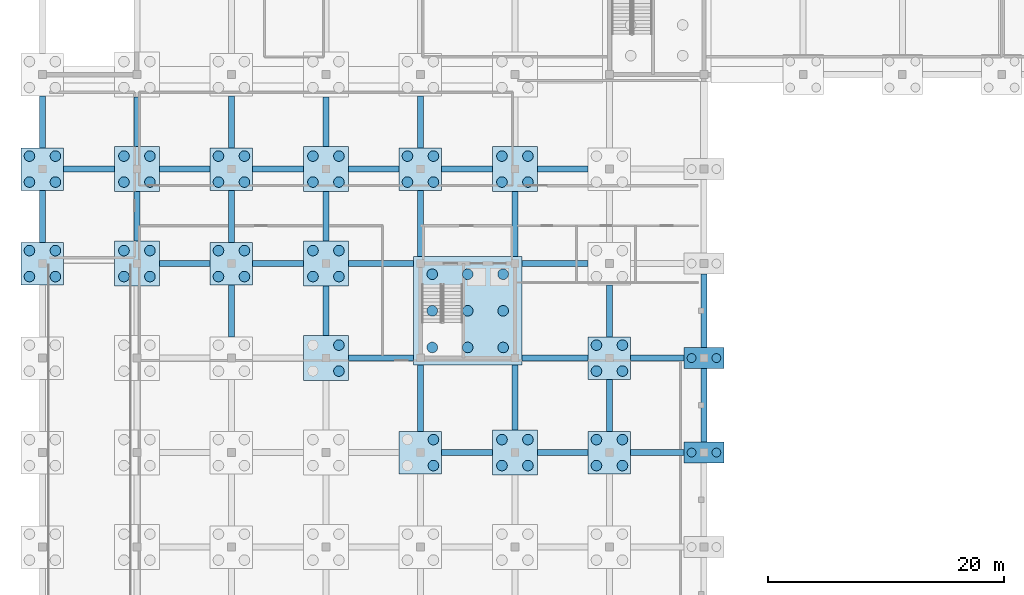
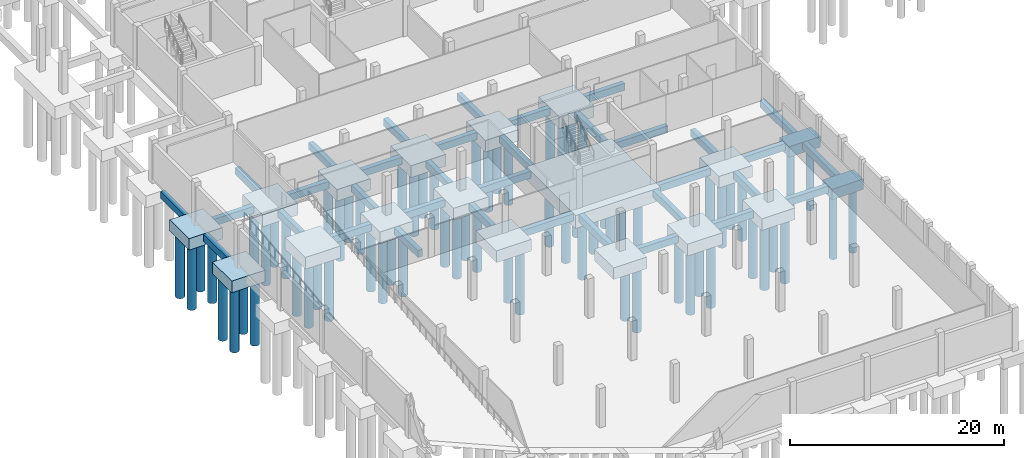
# One storey, part 3 of 22: 69 piles, 53 footings.
"""IFC4 building model written with IfcOpenShell, lengths in metres."""

from ifc_helpers import new_model, si_unit, direction, frame, origin, origin_2d, place, context, subcontext, project, spatial, polyline, rectangle, circle, outline, extrude, material, material_profile, profile_set, type_object, element, save


model = new_model("IFC4")

# Units and contexts
model_context = context("Model", 3, precision=1e-05, world=origin(), true_north=direction((0.0, 1.0)))
body_context = subcontext(model_context, "Body", "Model", "MODEL_VIEW")
ifc_project = project(units=[si_unit("LENGTHUNIT", "METRE"), si_unit("AREAUNIT", "SQUARE_METRE"), si_unit("VOLUMEUNIT", "CUBIC_METRE"), si_unit("PLANEANGLEUNIT", "RADIAN"), si_unit("MASSUNIT", "GRAM", prefix="KILO")], contexts=[model_context])

# Site, building, storey
site_placement = place(None, origin())
site = spatial("IfcSite", under=ifc_project, at=site_placement, CompositionType="ELEMENT")
building_placement = place(site_placement, origin())
building = spatial("IfcBuilding", under=site, at=building_placement, Name="Vharandega Faculty of Natural Sciences", CompositionType="ELEMENT")
storey_placement = place(building_placement, frame((0.0, 0.0, -4.5)))
storey = spatial("IfcBuildingStorey", under=building, at=storey_placement, Name="B01", CompositionType="ELEMENT", Elevation=-4.5)

# Piles
ifc_material_1 = material(Name="Concrete C35/45", Category="concrete")
ifc_material_profile_1 = material_profile(ifc_material_1, circle(Radius=0.375, at=origin_2d()), Name="PILE 750")
ifc_profile_set_1 = profile_set([ifc_material_profile_1], Name="Concrete C35/45")
pile_type_1 = type_object("IfcPileType", Name="Bored Pile 750", PredefinedType="BORED", material=ifc_profile_set_1)
for number, where, z_axis, x_axis, name in (
    (1, (54.949951171875, 32.0, -1.550048828125), (0.0, 0.0, -1.0), (1.0, 0.0, 0.0), "Bored Pile PL-8E-01"),
    (2, (57.050048828125, 32.0, -1.550048828125), (0.0, 0.0, -1.0), (1.0, 0.0, 0.0), "Bored Pile PL-8E-02"),
    (3, (54.949951171875, 40.0, -1.550048828125), (0.0, 0.0, -1.0), (1.0, 0.0, 0.0), "Bored Pile PL-8F-01"),
    (4, (57.050048828125, 40.0, -1.550048828125), (0.0, 0.0, -1.0), (1.0, 0.0, 0.0), "Bored Pile PL-8F-02"),
):
    element("IfcPile", number, at=place(storey_placement, frame(where, z_axis=z_axis, x_axis=x_axis)), inside=storey, type_object=pile_type_1, Name=name, PredefinedType="BORED", context=body_context, shape_type="SweptSolid", body=[
        extrude(circle(Radius=0.375, at=origin_2d()), origin(), (0.0, 0.0, 1.0), 7.449951171875),
    ])
ifc_material_2 = material(Name="Concrete C35/45", Category="concrete")
ifc_material_profile_2 = material_profile(ifc_material_2, circle(Radius=0.449951171875, at=origin_2d()), Name="PILE 900")
ifc_profile_set_2 = profile_set([ifc_material_profile_2], Name="Concrete C35/45")
pile_type_2 = type_object("IfcPileType", Name="Bored Pile 900", PredefinedType="BORED", material=ifc_profile_set_2)
for number, where, z_axis, x_axis, name in (
    (5, (33.0, 40.89990234375, -1.85009765625), (0.0, 0.0, -1.0), (1.0, 0.0, 0.0), "Bored Pile PL-C3-01"),
    (6, (33.0, 44.0, -1.85009765625), (0.0, 0.0, -1.0), (1.0, 0.0, 0.0), "Bored Pile PL-C3-02"),
    (7, (33.0, 47.10009765625, -1.85009765625), (0.0, 0.0, -1.0), (1.0, 0.0, 0.0), "Bored Pile PL-C3-03"),
    (8, (36.0, 40.89990234375, -1.85009765625), (0.0, 0.0, -1.0), (1.0, 0.0, 0.0), "Bored Pile PL-C3-04"),
    (9, (36.0, 44.0, -1.85009765625), (0.0, 0.0, -1.0), (1.0, 0.0, 0.0), "Bored Pile PL-C3-05"),
    (10, (36.0, 47.10009765625, -1.85009765625), (0.0, 0.0, -1.0), (1.0, 0.0, 0.0), "Bored Pile PL-C3-06"),
    (11, (39.0, 40.89990234375, -1.85009765625), (0.0, 0.0, -1.0), (1.0, 0.0, 0.0), "Bored Pile PL-C3-07"),
    (12, (39.0, 44.0, -1.85009765625), (0.0, 0.0, -1.0), (1.0, 0.0, 0.0), "Bored Pile PL-C3-08"),
    (13, (39.0, 47.10009765625, -1.85009765625), (0.0, 0.0, -1.0), (1.0, 0.0, 0.0), "Bored Pile PL-C3-09"),
):
    element("IfcPile", number, at=place(storey_placement, frame(where, z_axis=z_axis, x_axis=x_axis)), inside=storey, type_object=pile_type_2, Name=name, PredefinedType="BORED", context=body_context, shape_type="SweptSolid", body=[
        extrude(circle(Radius=0.449951171875, at=origin_2d()), origin(), (0.0, 0.0, 1.0), 7.14990234375),
    ])
for number, where, z_axis, x_axis, name in (
    (14, (-1.10009765625, 46.89990234375, -1.669921875), (0.0, 0.0, -1.0), (1.0, 0.0, 0.0), "Bored Pile PL-1G-01"),
    (15, (1.10009765625, 46.89990234375, -1.669921875), (0.0, 0.0, -1.0), (1.0, 0.0, 0.0), "Bored Pile PL-1G-02"),
    (16, (1.10009765625, 49.10009765625, -1.669921875), (0.0, 0.0, -1.0), (1.0, 0.0, 0.0), "Bored Pile PL-1G-03"),
    (17, (-1.10009765625, 49.10009765625, -1.669921875), (0.0, 0.0, -1.0), (1.0, 0.0, 0.0), "Bored Pile PL-1G-04"),
    (18, (-1.10009765625, 54.89990234375, -1.669921875), (0.0, 0.0, -1.0), (1.0, 0.0, 0.0), "Bored Pile PL-1H-01"),
    (19, (1.10009765625, 54.89990234375, -1.669921875), (0.0, 0.0, -1.0), (1.0, 0.0, 0.0), "Bored Pile PL-1H-02"),
    (20, (1.10009765625, 57.10009765625, -1.669921875), (0.0, 0.0, -1.0), (1.0, 0.0, 0.0), "Bored Pile PL-1H-03"),
    (21, (-1.10009765625, 57.10009765625, -1.669921875), (0.0, 0.0, -1.0), (1.0, 0.0, 0.0), "Bored Pile PL-1H-04"),
):
    element("IfcPile", number, at=place(storey_placement, frame(where, z_axis=z_axis, x_axis=x_axis)), inside=storey, type_object=pile_type_2, Name=name, PredefinedType="BORED", context=body_context, shape_type="SweptSolid", body=[
        extrude(circle(Radius=0.449951171875, at=origin_2d()), origin(), (0.0, 0.0, 1.0), 7.330078125),
    ])
for number, where, z_axis, x_axis, name in (
    (22, (6.89990234375, 46.89990234375, -1.699951171875), (0.0, 0.0, -1.0), (1.0, 0.0, 0.0), "Bored Pile PL-2G-01"),
    (23, (9.10009765625, 46.89990234375, -1.699951171875), (0.0, 0.0, -1.0), (1.0, 0.0, 0.0), "Bored Pile PL-2G-02"),
    (24, (9.10009765625, 49.10009765625, -1.699951171875), (0.0, 0.0, -1.0), (1.0, 0.0, 0.0), "Bored Pile PL-2G-03"),
    (25, (6.89990234375, 49.10009765625, -1.699951171875), (0.0, 0.0, -1.0), (1.0, 0.0, 0.0), "Bored Pile PL-2G-04"),
    (26, (6.89990234375, 54.89990234375, -1.699951171875), (0.0, 0.0, -1.0), (1.0, 0.0, 0.0), "Bored Pile PL-2H-01"),
    (27, (9.10009765625, 54.89990234375, -1.699951171875), (0.0, 0.0, -1.0), (1.0, 0.0, 0.0), "Bored Pile PL-2H-02"),
    (28, (9.10009765625, 57.10009765625, -1.699951171875), (0.0, 0.0, -1.0), (1.0, 0.0, 0.0), "Bored Pile PL-2H-03"),
    (29, (6.89990234375, 57.10009765625, -1.699951171875), (0.0, 0.0, -1.0), (1.0, 0.0, 0.0), "Bored Pile PL-2H-04"),
):
    element("IfcPile", number, at=place(storey_placement, frame(where, z_axis=z_axis, x_axis=x_axis)), inside=storey, type_object=pile_type_2, Name=name, PredefinedType="BORED", context=body_context, shape_type="SweptSolid", body=[
        extrude(circle(Radius=0.449951171875, at=origin_2d()), origin(), (0.0, 0.0, 1.0), 7.300048828125),
    ])
for number, where, z_axis, x_axis, name in (
    (30, (14.89990234375, 46.89990234375, -1.669921875), (0.0, 0.0, -1.0), (1.0, 0.0, 0.0), "Bored Pile PL-3G-01"),
    (31, (17.10009765625, 46.89990234375, -1.669921875), (0.0, 0.0, -1.0), (1.0, 0.0, 0.0), "Bored Pile PL-3G-02"),
    (32, (17.10009765625, 49.10009765625, -1.669921875), (0.0, 0.0, -1.0), (1.0, 0.0, 0.0), "Bored Pile PL-3G-03"),
    (33, (14.89990234375, 49.10009765625, -1.669921875), (0.0, 0.0, -1.0), (1.0, 0.0, 0.0), "Bored Pile PL-3G-04"),
    (34, (14.89990234375, 54.89990234375, -1.669921875), (0.0, 0.0, -1.0), (1.0, 0.0, 0.0), "Bored Pile PL-3H-01"),
    (35, (17.10009765625, 54.89990234375, -1.669921875), (0.0, 0.0, -1.0), (1.0, 0.0, 0.0), "Bored Pile PL-3H-02"),
    (36, (17.10009765625, 57.10009765625, -1.669921875), (0.0, 0.0, -1.0), (1.0, 0.0, 0.0), "Bored Pile PL-3H-03"),
    (37, (14.89990234375, 57.10009765625, -1.669921875), (0.0, 0.0, -1.0), (1.0, 0.0, 0.0), "Bored Pile PL-3H-04"),
):
    element("IfcPile", number, at=place(storey_placement, frame(where, z_axis=z_axis, x_axis=x_axis)), inside=storey, type_object=pile_type_2, Name=name, PredefinedType="BORED", context=body_context, shape_type="SweptSolid", body=[
        extrude(circle(Radius=0.449951171875, at=origin_2d()), origin(), (0.0, 0.0, 1.0), 7.330078125),
    ])
for number, where, z_axis, x_axis, name in (
    (38, (25.10009765625, 38.89990234375, -1.699951171875), (0.0, 0.0, -1.0), (1.0, 0.0, 0.0), "Bored Pile PL-4F-02"),
    (39, (25.10009765625, 41.10009765625, -1.699951171875), (0.0, 0.0, -1.0), (1.0, 0.0, 0.0), "Bored Pile PL-4F-03"),
    (40, (22.89990234375, 46.89990234375, -1.699951171875), (0.0, 0.0, -1.0), (1.0, 0.0, 0.0), "Bored Pile PL-4G-01"),
    (41, (25.10009765625, 46.89990234375, -1.699951171875), (0.0, 0.0, -1.0), (1.0, 0.0, 0.0), "Bored Pile PL-4G-02"),
    (42, (25.10009765625, 49.10009765625, -1.699951171875), (0.0, 0.0, -1.0), (1.0, 0.0, 0.0), "Bored Pile PL-4G-03"),
    (43, (22.89990234375, 49.10009765625, -1.699951171875), (0.0, 0.0, -1.0), (1.0, 0.0, 0.0), "Bored Pile PL-4G-04"),
    (44, (22.89990234375, 54.89990234375, -1.699951171875), (0.0, 0.0, -1.0), (1.0, 0.0, 0.0), "Bored Pile PL-4H-01"),
    (45, (25.10009765625, 54.89990234375, -1.699951171875), (0.0, 0.0, -1.0), (1.0, 0.0, 0.0), "Bored Pile PL-4H-02"),
    (46, (25.10009765625, 57.10009765625, -1.699951171875), (0.0, 0.0, -1.0), (1.0, 0.0, 0.0), "Bored Pile PL-4H-03"),
    (47, (22.89990234375, 57.10009765625, -1.699951171875), (0.0, 0.0, -1.0), (1.0, 0.0, 0.0), "Bored Pile PL-4H-04"),
):
    element("IfcPile", number, at=place(storey_placement, frame(where, z_axis=z_axis, x_axis=x_axis)), inside=storey, type_object=pile_type_2, Name=name, PredefinedType="BORED", context=body_context, shape_type="SweptSolid", body=[
        extrude(circle(Radius=0.449951171875, at=origin_2d()), origin(), (0.0, 0.0, 1.0), 7.300048828125),
    ])
for number, where, z_axis, x_axis, name in (
    (48, (33.10009765625, 30.89990234375, -1.669921875), (0.0, 0.0, -1.0), (1.0, 0.0, 0.0), "Bored Pile PL-5E-02"),
    (49, (33.10009765625, 33.10009765625, -1.669921875), (0.0, 0.0, -1.0), (1.0, 0.0, 0.0), "Bored Pile PL-5E-03"),
    (50, (30.89990234375, 54.89990234375, -1.669921875), (0.0, 0.0, -1.0), (1.0, 0.0, 0.0), "Bored Pile PL-5H-01"),
    (51, (33.10009765625, 54.89990234375, -1.669921875), (0.0, 0.0, -1.0), (1.0, 0.0, 0.0), "Bored Pile PL-5H-02"),
    (52, (33.10009765625, 57.10009765625, -1.669921875), (0.0, 0.0, -1.0), (1.0, 0.0, 0.0), "Bored Pile PL-5H-03"),
    (53, (30.89990234375, 57.10009765625, -1.669921875), (0.0, 0.0, -1.0), (1.0, 0.0, 0.0), "Bored Pile PL-5H-04"),
):
    element("IfcPile", number, at=place(storey_placement, frame(where, z_axis=z_axis, x_axis=x_axis)), inside=storey, type_object=pile_type_2, Name=name, PredefinedType="BORED", context=body_context, shape_type="SweptSolid", body=[
        extrude(circle(Radius=0.449951171875, at=origin_2d()), origin(), (0.0, 0.0, 1.0), 7.330078125),
    ])
for number, where, z_axis, x_axis, name in (
    (54, (38.89990234375, 30.89990234375, -1.699951171875), (0.0, 0.0, -1.0), (1.0, 0.0, 0.0), "Bored Pile PL-6E-01"),
    (55, (41.10009765625, 30.89990234375, -1.699951171875), (0.0, 0.0, -1.0), (1.0, 0.0, 0.0), "Bored Pile PL-6E-02"),
    (56, (41.10009765625, 33.10009765625, -1.699951171875), (0.0, 0.0, -1.0), (1.0, 0.0, 0.0), "Bored Pile PL-6E-03"),
    (57, (38.89990234375, 33.10009765625, -1.699951171875), (0.0, 0.0, -1.0), (1.0, 0.0, 0.0), "Bored Pile PL-6E-04"),
    (58, (38.89990234375, 54.89990234375, -1.699951171875), (0.0, 0.0, -1.0), (1.0, 0.0, 0.0), "Bored Pile PL-6H-01"),
    (59, (41.10009765625, 54.89990234375, -1.699951171875), (0.0, 0.0, -1.0), (1.0, 0.0, 0.0), "Bored Pile PL-6H-02"),
    (60, (41.10009765625, 57.10009765625, -1.699951171875), (0.0, 0.0, -1.0), (1.0, 0.0, 0.0), "Bored Pile PL-6H-03"),
    (61, (38.89990234375, 57.10009765625, -1.699951171875), (0.0, 0.0, -1.0), (1.0, 0.0, 0.0), "Bored Pile PL-6H-04"),
):
    element("IfcPile", number, at=place(storey_placement, frame(where, z_axis=z_axis, x_axis=x_axis)), inside=storey, type_object=pile_type_2, Name=name, PredefinedType="BORED", context=body_context, shape_type="SweptSolid", body=[
        extrude(circle(Radius=0.449951171875, at=origin_2d()), origin(), (0.0, 0.0, 1.0), 7.300048828125),
    ])
for number, where, z_axis, x_axis, name in (
    (62, (46.89990234375, 30.89990234375, -1.669921875), (0.0, 0.0, -1.0), (1.0, 0.0, 0.0), "Bored Pile PL-7E-01"),
    (63, (49.10009765625, 30.89990234375, -1.669921875), (0.0, 0.0, -1.0), (1.0, 0.0, 0.0), "Bored Pile PL-7E-02"),
    (64, (49.10009765625, 33.10009765625, -1.669921875), (0.0, 0.0, -1.0), (1.0, 0.0, 0.0), "Bored Pile PL-7E-03"),
    (65, (46.89990234375, 33.10009765625, -1.669921875), (0.0, 0.0, -1.0), (1.0, 0.0, 0.0), "Bored Pile PL-7E-04"),
    (66, (46.89990234375, 38.89990234375, -1.669921875), (0.0, 0.0, -1.0), (1.0, 0.0, 0.0), "Bored Pile PL-7F-01"),
    (67, (49.10009765625, 38.89990234375, -1.669921875), (0.0, 0.0, -1.0), (1.0, 0.0, 0.0), "Bored Pile PL-7F-02"),
    (68, (49.10009765625, 41.10009765625, -1.669921875), (0.0, 0.0, -1.0), (1.0, 0.0, 0.0), "Bored Pile PL-7F-03"),
    (69, (46.89990234375, 41.10009765625, -1.669921875), (0.0, 0.0, -1.0), (1.0, 0.0, 0.0), "Bored Pile PL-7F-04"),
):
    element("IfcPile", number, at=place(storey_placement, frame(where, z_axis=z_axis, x_axis=x_axis)), inside=storey, type_object=pile_type_2, Name=name, PredefinedType="BORED", context=body_context, shape_type="SweptSolid", body=[
        extrude(circle(Radius=0.449951171875, at=origin_2d()), origin(), (0.0, 0.0, 1.0), 7.330078125),
    ])

# Footings
ifc_material_3 = material(Name="Concrete C35/45", Category="concrete")
footing_type_1 = type_object("IfcFootingType", Name="Ground Tie Beam 500x800", PredefinedType="FOOTING_BEAM", material=ifc_material_3)
footing_1_placement = place(storey_placement, frame((0.0, 0.0, -1.25)))
element("IfcFooting", 70, at=footing_1_placement, inside=storey, type_object=footing_type_1, Name="Substructure Tie FND-GB-X022", PredefinedType="FOOTING_BEAM", context=body_context, shape_type="SweptSolid", body=[
    extrude(outline(polyline([(33.800048828125, 31.75), (38.10009765625, 31.75), (38.10009765625, 32.25), (33.800048828125, 32.25), (33.800048828125, 31.75)])), origin(), (0.0, 0.0, 1.0), 0.800048828125),
])
footing_2_placement = place(storey_placement, frame((0.0, 0.0, -1.25)))
element("IfcFooting", 71, at=footing_2_placement, inside=storey, type_object=footing_type_1, Name="Substructure Tie FND-GB-X023", PredefinedType="FOOTING_BEAM", context=body_context, shape_type="SweptSolid", body=[
    extrude(outline(polyline([(41.89990234375, 31.75), (46.199951171875, 31.75), (46.199951171875, 32.25), (41.89990234375, 32.25), (41.89990234375, 31.75)])), origin(), (0.0, 0.0, 1.0), 0.800048828125),
])
footing_3_placement = place(storey_placement, frame((0.0, 0.0, -1.25)))
element("IfcFooting", 72, at=footing_3_placement, inside=storey, type_object=footing_type_1, Name="Substructure Tie FND-GB-X024", PredefinedType="FOOTING_BEAM", context=body_context, shape_type="SweptSolid", body=[
    extrude(outline(polyline([(49.800048828125, 31.75), (54.300048828125, 31.75), (54.300048828125, 32.25), (49.800048828125, 32.25), (49.800048828125, 31.75)])), origin(), (0.0, 0.0, 1.0), 0.800048828125),
])
footing_4_placement = place(storey_placement, frame((0.0, 0.0, -1.25)))
element("IfcFooting", 73, at=footing_4_placement, inside=storey, type_object=footing_type_1, Name="Substructure Tie FND-GB-X027", PredefinedType="FOOTING_BEAM", context=body_context, shape_type="SweptSolid", body=[
    extrude(outline(polyline([(25.89990234375, 39.75), (31.39990234375, 39.75), (31.39990234375, 40.25), (25.89990234375, 40.25), (25.89990234375, 39.75)])), origin(), (0.0, 0.0, 1.0), 0.800048828125),
])
footing_5_placement = place(storey_placement, frame((0.0, 0.0, -1.25)))
element("IfcFooting", 74, at=footing_5_placement, inside=storey, type_object=footing_type_1, Name="Substructure Tie FND-GB-X028", PredefinedType="FOOTING_BEAM", context=body_context, shape_type="SweptSolid", body=[
    extrude(outline(polyline([(40.60009765625, 39.75), (46.199951171875, 39.75), (46.199951171875, 40.25), (40.60009765625, 40.25), (40.60009765625, 39.75)])), origin(), (0.0, 0.0, 1.0), 0.800048828125),
])
footing_6_placement = place(storey_placement, frame((0.0, 0.0, -1.25)))
element("IfcFooting", 75, at=footing_6_placement, inside=storey, type_object=footing_type_1, Name="Substructure Tie FND-GB-X029", PredefinedType="FOOTING_BEAM", context=body_context, shape_type="SweptSolid", body=[
    extrude(outline(polyline([(49.800048828125, 39.75), (54.300048828125, 39.75), (54.300048828125, 40.25), (49.800048828125, 40.25), (49.800048828125, 39.75)])), origin(), (0.0, 0.0, 1.0), 0.800048828125),
])
footing_7_placement = place(storey_placement, frame((0.0, 0.0, -1.25)))
element("IfcFooting", 76, at=footing_7_placement, inside=storey, type_object=footing_type_1, Name="Substructure Tie FND-GB-X030", PredefinedType="FOOTING_BEAM", context=body_context, shape_type="SweptSolid", body=[
    extrude(outline(polyline([(9.89990234375, 47.75), (14.199951171875, 47.75), (14.199951171875, 48.25), (9.89990234375, 48.25), (9.89990234375, 47.75)])), origin(), (0.0, 0.0, 1.0), 0.800048828125),
])
footing_8_placement = place(storey_placement, frame((0.0, 0.0, -1.25)))
element("IfcFooting", 77, at=footing_8_placement, inside=storey, type_object=footing_type_1, Name="Substructure Tie FND-GB-X031", PredefinedType="FOOTING_BEAM", context=body_context, shape_type="SweptSolid", body=[
    extrude(outline(polyline([(17.800048828125, 47.75), (22.10009765625, 47.75), (22.10009765625, 48.25), (17.800048828125, 48.25), (17.800048828125, 47.75)])), origin(), (0.0, 0.0, 1.0), 0.800048828125),
])
footing_9_placement = place(storey_placement, frame((0.0, 0.0, -1.25)))
element("IfcFooting", 78, at=footing_9_placement, inside=storey, type_object=footing_type_1, Name="Substructure Tie FND-GB-X032", PredefinedType="FOOTING_BEAM", context=body_context, shape_type="SweptSolid", body=[
    extrude(outline(polyline([(25.89990234375, 47.75), (31.39990234375, 47.75), (31.39990234375, 48.25), (25.89990234375, 48.25), (25.89990234375, 47.75)])), origin(), (0.0, 0.0, 1.0), 0.800048828125),
])
footing_10_placement = place(storey_placement, frame((0.0, 0.0, -1.25)))
element("IfcFooting", 79, at=footing_10_placement, inside=storey, type_object=footing_type_1, Name="Substructure Tie FND-GB-X033", PredefinedType="FOOTING_BEAM", context=body_context, shape_type="SweptSolid", body=[
    extrude(outline(polyline([(40.60009765625, 47.75), (46.199951171875, 47.75), (46.199951171875, 48.25), (40.60009765625, 48.25), (40.60009765625, 47.75)])), origin(), (0.0, 0.0, 1.0), 0.800048828125),
])
footing_11_placement = place(storey_placement, frame((0.0, 0.0, -1.25)))
element("IfcFooting", 80, at=footing_11_placement, inside=storey, type_object=footing_type_1, Name="Substructure Tie FND-GB-X035", PredefinedType="FOOTING_BEAM", context=body_context, shape_type="SweptSolid", body=[
    extrude(outline(polyline([(1.800048828125, 55.75), (6.10009765625, 55.75), (6.10009765625, 56.25), (1.800048828125, 56.25), (1.800048828125, 55.75)])), origin(), (0.0, 0.0, 1.0), 0.800048828125),
])
footing_12_placement = place(storey_placement, frame((0.0, 0.0, -1.25)))
element("IfcFooting", 81, at=footing_12_placement, inside=storey, type_object=footing_type_1, Name="Substructure Tie FND-GB-X036", PredefinedType="FOOTING_BEAM", context=body_context, shape_type="SweptSolid", body=[
    extrude(outline(polyline([(9.89990234375, 55.75), (14.199951171875, 55.75), (14.199951171875, 56.25), (9.89990234375, 56.25), (9.89990234375, 55.75)])), origin(), (0.0, 0.0, 1.0), 0.800048828125),
])
footing_13_placement = place(storey_placement, frame((0.0, 0.0, -1.25)))
element("IfcFooting", 82, at=footing_13_placement, inside=storey, type_object=footing_type_1, Name="Substructure Tie FND-GB-X037", PredefinedType="FOOTING_BEAM", context=body_context, shape_type="SweptSolid", body=[
    extrude(outline(polyline([(17.800048828125, 55.75), (22.10009765625, 55.75), (22.10009765625, 56.25), (17.800048828125, 56.25), (17.800048828125, 55.75)])), origin(), (0.0, 0.0, 1.0), 0.800048828125),
])
footing_14_placement = place(storey_placement, frame((0.0, 0.0, -1.25)))
element("IfcFooting", 83, at=footing_14_placement, inside=storey, type_object=footing_type_1, Name="Substructure Tie FND-GB-X038", PredefinedType="FOOTING_BEAM", context=body_context, shape_type="SweptSolid", body=[
    extrude(outline(polyline([(25.89990234375, 55.75), (30.199951171875, 55.75), (30.199951171875, 56.25), (25.89990234375, 56.25), (25.89990234375, 55.75)])), origin(), (0.0, 0.0, 1.0), 0.800048828125),
])
footing_15_placement = place(storey_placement, frame((0.0, 0.0, -1.25)))
element("IfcFooting", 84, at=footing_15_placement, inside=storey, type_object=footing_type_1, Name="Substructure Tie FND-GB-X039", PredefinedType="FOOTING_BEAM", context=body_context, shape_type="SweptSolid", body=[
    extrude(outline(polyline([(33.800048828125, 55.75), (38.10009765625, 55.75), (38.10009765625, 56.25), (33.800048828125, 56.25), (33.800048828125, 55.75)])), origin(), (0.0, 0.0, 1.0), 0.800048828125),
])
footing_16_placement = place(storey_placement, frame((0.0, 0.0, -1.25)))
element("IfcFooting", 85, at=footing_16_placement, inside=storey, type_object=footing_type_1, Name="Substructure Tie FND-GB-X040", PredefinedType="FOOTING_BEAM", context=body_context, shape_type="SweptSolid", body=[
    extrude(outline(polyline([(41.89990234375, 55.75), (46.199951171875, 55.75), (46.199951171875, 56.25), (41.89990234375, 56.25), (41.89990234375, 55.75)])), origin(), (0.0, 0.0, 1.0), 0.800048828125),
])
footing_17_placement = place(storey_placement, frame((0.0, 0.0, -1.25)))
element("IfcFooting", 86, at=footing_17_placement, inside=storey, type_object=footing_type_1, Name="Substructure Tie FND-GB-Y132", PredefinedType="FOOTING_BEAM", context=body_context, shape_type="SweptSolid", body=[
    extrude(outline(polyline([(-0.25, 49.800048828125), (0.25, 49.800048828125), (0.25, 54.199951171875), (-0.25, 54.199951171875), (-0.25, 49.800048828125)])), origin(), (0.0, 0.0, 1.0), 0.800048828125),
])
footing_18_placement = place(storey_placement, frame((0.0, 0.0, -1.25)))
element("IfcFooting", 87, at=footing_18_placement, inside=storey, type_object=footing_type_1, Name="Substructure Tie FND-GB-Y133", PredefinedType="FOOTING_BEAM", context=body_context, shape_type="SweptSolid", body=[
    extrude(outline(polyline([(-0.25, 57.800048828125), (0.25, 57.800048828125), (0.25, 62.199951171875), (-0.25, 62.199951171875), (-0.25, 57.800048828125)])), origin(), (0.0, 0.0, 1.0), 0.800048828125),
])
footing_19_placement = place(storey_placement, frame((0.0, 0.0, -1.25)))
element("IfcFooting", 88, at=footing_19_placement, inside=storey, type_object=footing_type_1, Name="Substructure Tie FND-GB-Y144", PredefinedType="FOOTING_BEAM", context=body_context, shape_type="SweptSolid", body=[
    extrude(outline(polyline([(7.75, 49.89990234375), (8.25, 49.89990234375), (8.25, 54.10009765625), (7.75, 54.10009765625), (7.75, 49.89990234375)])), origin(), (0.0, 0.0, 1.0), 0.800048828125),
])
footing_20_placement = place(storey_placement, frame((0.0, 0.0, -1.25)))
element("IfcFooting", 89, at=footing_20_placement, inside=storey, type_object=footing_type_1, Name="Substructure Tie FND-GB-Y145", PredefinedType="FOOTING_BEAM", context=body_context, shape_type="SweptSolid", body=[
    extrude(outline(polyline([(7.75, 57.89990234375), (8.25, 57.89990234375), (8.25, 62.10009765625), (7.75, 62.10009765625), (7.75, 57.89990234375)])), origin(), (0.0, 0.0, 1.0), 0.800048828125),
])
footing_21_placement = place(storey_placement, frame((0.0, 0.0, -1.25)))
element("IfcFooting", 90, at=footing_21_placement, inside=storey, type_object=footing_type_1, Name="Substructure Tie FND-GB-Y155", PredefinedType="FOOTING_BEAM", context=body_context, shape_type="SweptSolid", body=[
    extrude(outline(polyline([(15.75, 41.800048828125), (16.25, 41.800048828125), (16.25, 46.199951171875), (15.75, 46.199951171875), (15.75, 41.800048828125)])), origin(), (0.0, 0.0, 1.0), 0.800048828125),
])
footing_22_placement = place(storey_placement, frame((0.0, 0.0, -1.25)))
element("IfcFooting", 91, at=footing_22_placement, inside=storey, type_object=footing_type_1, Name="Substructure Tie FND-GB-Y156", PredefinedType="FOOTING_BEAM", context=body_context, shape_type="SweptSolid", body=[
    extrude(outline(polyline([(15.75, 49.800048828125), (16.25, 49.800048828125), (16.25, 54.199951171875), (15.75, 54.199951171875), (15.75, 49.800048828125)])), origin(), (0.0, 0.0, 1.0), 0.800048828125),
])
footing_23_placement = place(storey_placement, frame((0.0, 0.0, -1.25)))
element("IfcFooting", 92, at=footing_23_placement, inside=storey, type_object=footing_type_1, Name="Substructure Tie FND-GB-Y157", PredefinedType="FOOTING_BEAM", context=body_context, shape_type="SweptSolid", body=[
    extrude(outline(polyline([(15.75, 57.800048828125), (16.25, 57.800048828125), (16.25, 62.199951171875), (15.75, 62.199951171875), (15.75, 57.800048828125)])), origin(), (0.0, 0.0, 1.0), 0.800048828125),
])
footing_24_placement = place(storey_placement, frame((0.0, 0.0, -1.25)))
element("IfcFooting", 93, at=footing_24_placement, inside=storey, type_object=footing_type_1, Name="Substructure Tie FND-GB-Y167", PredefinedType="FOOTING_BEAM", context=body_context, shape_type="SweptSolid", body=[
    extrude(outline(polyline([(23.75, 41.89990234375), (24.25, 41.89990234375), (24.25, 46.10009765625), (23.75, 46.10009765625), (23.75, 41.89990234375)])), origin(), (0.0, 0.0, 1.0), 0.800048828125),
])
footing_25_placement = place(storey_placement, frame((0.0, 0.0, -1.25)))
element("IfcFooting", 94, at=footing_25_placement, inside=storey, type_object=footing_type_1, Name="Substructure Tie FND-GB-Y168", PredefinedType="FOOTING_BEAM", context=body_context, shape_type="SweptSolid", body=[
    extrude(outline(polyline([(23.75, 49.89990234375), (24.25, 49.89990234375), (24.25, 54.10009765625), (23.75, 54.10009765625), (23.75, 49.89990234375)])), origin(), (0.0, 0.0, 1.0), 0.800048828125),
])
footing_26_placement = place(storey_placement, frame((0.0, 0.0, -1.25)))
element("IfcFooting", 95, at=footing_26_placement, inside=storey, type_object=footing_type_1, Name="Substructure Tie FND-GB-Y169", PredefinedType="FOOTING_BEAM", context=body_context, shape_type="SweptSolid", body=[
    extrude(outline(polyline([(23.75, 57.89990234375), (24.25, 57.89990234375), (24.25, 62.10009765625), (23.75, 62.10009765625), (23.75, 57.89990234375)])), origin(), (0.0, 0.0, 1.0), 0.800048828125),
])
footing_27_placement = place(storey_placement, frame((0.0, 0.0, -1.25)))
element("IfcFooting", 96, at=footing_27_placement, inside=storey, type_object=footing_type_1, Name="Substructure Tie FND-GB-Y178", PredefinedType="FOOTING_BEAM", context=body_context, shape_type="SweptSolid", body=[
    extrude(outline(polyline([(31.75, 33.800048828125), (32.25, 33.800048828125), (32.25, 39.39990234375), (31.75, 39.39990234375), (31.75, 33.800048828125)])), origin(), (0.0, 0.0, 1.0), 0.800048828125),
])
footing_28_placement = place(storey_placement, frame((0.0, 0.0, -1.25)))
element("IfcFooting", 97, at=footing_28_placement, inside=storey, type_object=footing_type_1, Name="Substructure Tie FND-GB-Y179", PredefinedType="FOOTING_BEAM", context=body_context, shape_type="SweptSolid", body=[
    extrude(outline(polyline([(31.75, 48.60009765625), (32.25, 48.60009765625), (32.25, 54.199951171875), (31.75, 54.199951171875), (31.75, 48.60009765625)])), origin(), (0.0, 0.0, 1.0), 0.800048828125),
])
footing_29_placement = place(storey_placement, frame((0.0, 0.0, -1.25)))
element("IfcFooting", 98, at=footing_29_placement, inside=storey, type_object=footing_type_1, Name="Substructure Tie FND-GB-Y180", PredefinedType="FOOTING_BEAM", context=body_context, shape_type="SweptSolid", body=[
    extrude(outline(polyline([(31.75, 57.800048828125), (32.25, 57.800048828125), (32.25, 62.199951171875), (31.75, 62.199951171875), (31.75, 57.800048828125)])), origin(), (0.0, 0.0, 1.0), 0.800048828125),
])
footing_30_placement = place(storey_placement, frame((0.0, 0.0, -1.25)))
element("IfcFooting", 99, at=footing_30_placement, inside=storey, type_object=footing_type_1, Name="Substructure Tie FND-GB-Y189", PredefinedType="FOOTING_BEAM", context=body_context, shape_type="SweptSolid", body=[
    extrude(outline(polyline([(39.75, 33.89990234375), (40.25, 33.89990234375), (40.25, 39.39990234375), (39.75, 39.39990234375), (39.75, 33.89990234375)])), origin(), (0.0, 0.0, 1.0), 0.800048828125),
])
footing_31_placement = place(storey_placement, frame((0.0, 0.0, -1.25)))
element("IfcFooting", 100, at=footing_31_placement, inside=storey, type_object=footing_type_1, Name="Substructure Tie FND-GB-Y190", PredefinedType="FOOTING_BEAM", context=body_context, shape_type="SweptSolid", body=[
    extrude(outline(polyline([(39.75, 48.60009765625), (40.25, 48.60009765625), (40.25, 54.10009765625), (39.75, 54.10009765625), (39.75, 48.60009765625)])), origin(), (0.0, 0.0, 1.0), 0.800048828125),
])
footing_32_placement = place(storey_placement, frame((0.0, 0.0, -1.25)))
element("IfcFooting", 101, at=footing_32_placement, inside=storey, type_object=footing_type_1, Name="Substructure Tie FND-GB-Y200", PredefinedType="FOOTING_BEAM", context=body_context, shape_type="SweptSolid", body=[
    extrude(outline(polyline([(47.75, 33.800048828125), (48.25, 33.800048828125), (48.25, 38.199951171875), (47.75, 38.199951171875), (47.75, 33.800048828125)])), origin(), (0.0, 0.0, 1.0), 0.800048828125),
])
footing_33_placement = place(storey_placement, frame((0.0, 0.0, -1.25)))
element("IfcFooting", 102, at=footing_33_placement, inside=storey, type_object=footing_type_1, Name="Substructure Tie FND-GB-Y201", PredefinedType="FOOTING_BEAM", context=body_context, shape_type="SweptSolid", body=[
    extrude(outline(polyline([(47.75, 41.800048828125), (48.25, 41.800048828125), (48.25, 46.199951171875), (47.75, 46.199951171875), (47.75, 41.800048828125)])), origin(), (0.0, 0.0, 1.0), 0.800048828125),
])
footing_34_placement = place(storey_placement, frame((0.0, 0.0, -1.25)))
element("IfcFooting", 103, at=footing_34_placement, inside=storey, type_object=footing_type_1, Name="Substructure Tie FND-GB-Y211", PredefinedType="FOOTING_BEAM", context=body_context, shape_type="SweptSolid", body=[
    extrude(outline(polyline([(55.75, 32.89990234375), (56.25, 32.89990234375), (56.25, 39.10009765625), (55.75, 39.10009765625), (55.75, 32.89990234375)])), origin(), (0.0, 0.0, 1.0), 0.800048828125),
])
footing_35_placement = place(storey_placement, frame((0.0, 0.0, -1.25)))
element("IfcFooting", 104, at=footing_35_placement, inside=storey, type_object=footing_type_1, Name="Substructure Tie FND-GB-Y212", PredefinedType="FOOTING_BEAM", context=body_context, shape_type="SweptSolid", body=[
    extrude(outline(polyline([(55.75, 40.89990234375), (56.25, 40.89990234375), (56.25, 47.10009765625), (55.75, 47.10009765625), (55.75, 40.89990234375)])), origin(), (0.0, 0.0, 1.0), 0.800048828125),
])
ifc_material_4 = material(Name="Concrete C35/45", Category="concrete")
footing_type_2 = type_object("IfcFootingType", Name="Pile Cap 2P 3400x1800x1200", PredefinedType="PILE_CAP", material=ifc_material_4)
for number, where, z_axis, x_axis, name in (
    (105, (56.0, 32.0, -1.64990234375), (0.0, 0.0, 1.0), (1.0, 0.0, 0.0), "Pile Cap 8/E"),
    (106, (56.0, 40.0, -1.64990234375), (0.0, 0.0, 1.0), (1.0, 0.0, 0.0), "Pile Cap 8/F"),
):
    element("IfcFooting", number, at=place(storey_placement, frame(where, z_axis=z_axis, x_axis=x_axis)), inside=storey, type_object=footing_type_2, Name=name, PredefinedType="PILE_CAP", context=body_context, shape_type="SweptSolid", body=[
        extrude(rectangle(XDim=3.39990234375, YDim=1.800048828125, at=origin_2d()), origin(), (0.0, 0.0, 1.0), 1.199951171875),
    ])
ifc_material_5 = material(Name="Concrete C35/45", Category="concrete")
footing_type_3 = type_object("IfcFootingType", Name="Pile Cap 4P 3600x3600x1320", PredefinedType="PILE_CAP", material=ifc_material_5)
for number, where, z_axis, x_axis, name in (
    (107, (0.0, 48.0, -1.77001953125), (0.0, 0.0, 1.0), (1.0, 0.0, 0.0), "Pile Cap 1/G"),
    (108, (0.0, 56.0, -1.77001953125), (0.0, 0.0, 1.0), (1.0, 0.0, 0.0), "Pile Cap 1/H"),
    (109, (16.0, 48.0, -1.77001953125), (0.0, 0.0, 1.0), (1.0, 0.0, 0.0), "Pile Cap 3/G"),
    (110, (16.0, 56.0, -1.77001953125), (0.0, 0.0, 1.0), (1.0, 0.0, 0.0), "Pile Cap 3/H"),
    (111, (32.0, 32.0, -1.77001953125), (0.0, 0.0, 1.0), (1.0, 0.0, 0.0), "Pile Cap 5/E"),
    (112, (32.0, 56.0, -1.77001953125), (0.0, 0.0, 1.0), (1.0, 0.0, 0.0), "Pile Cap 5/H"),
    (113, (48.0, 32.0, -1.77001953125), (0.0, 0.0, 1.0), (1.0, 0.0, 0.0), "Pile Cap 7/E"),
    (114, (48.0, 40.0, -1.77001953125), (0.0, 0.0, 1.0), (1.0, 0.0, 0.0), "Pile Cap 7/F"),
):
    element("IfcFooting", number, at=place(storey_placement, frame(where, z_axis=z_axis, x_axis=x_axis)), inside=storey, type_object=footing_type_3, Name=name, PredefinedType="PILE_CAP", context=body_context, shape_type="SweptSolid", body=[
        extrude(rectangle(XDim=3.60009765625, YDim=3.60009765625, at=origin_2d()), origin(), (0.0, 0.0, 1.0), 1.320068359375),
    ])
ifc_material_6 = material(Name="Concrete C35/45", Category="concrete")
footing_type_4 = type_object("IfcFootingType", Name="Pile Cap 4P 3800x3800x1350", PredefinedType="PILE_CAP", material=ifc_material_6)
for number, where, z_axis, x_axis, name in (
    (115, (8.0, 48.0, -1.800048828125), (0.0, 0.0, 1.0), (1.0, 0.0, 0.0), "Pile Cap 2/G"),
    (116, (8.0, 56.0, -1.800048828125), (0.0, 0.0, 1.0), (1.0, 0.0, 0.0), "Pile Cap 2/H"),
    (117, (24.0, 40.0, -1.800048828125), (0.0, 0.0, 1.0), (1.0, 0.0, 0.0), "Pile Cap 4/F"),
    (118, (24.0, 48.0, -1.800048828125), (0.0, 0.0, 1.0), (1.0, 0.0, 0.0), "Pile Cap 4/G"),
    (119, (24.0, 56.0, -1.800048828125), (0.0, 0.0, 1.0), (1.0, 0.0, 0.0), "Pile Cap 4/H"),
    (120, (40.0, 32.0, -1.800048828125), (0.0, 0.0, 1.0), (1.0, 0.0, 0.0), "Pile Cap 6/E"),
    (121, (40.0, 56.0, -1.800048828125), (0.0, 0.0, 1.0), (1.0, 0.0, 0.0), "Pile Cap 6/H"),
):
    element("IfcFooting", number, at=place(storey_placement, frame(where, z_axis=z_axis, x_axis=x_axis)), inside=storey, type_object=footing_type_4, Name=name, PredefinedType="PILE_CAP", context=body_context, shape_type="SweptSolid", body=[
        extrude(rectangle(XDim=3.800048828125, YDim=3.800048828125, at=origin_2d()), origin(), (0.0, 0.0, 1.0), 1.35009765625),
    ])
ifc_material_7 = material(Name="Concrete C35/45", Category="concrete")
footing_type_5 = type_object("IfcFootingType", Name="Pile Cap 9P Core C3 9200x9200x1500", PredefinedType="PILE_CAP", material=ifc_material_7)
footing_36_placement = place(storey_placement, frame((36.0, 44.0, -1.949951171875), z_axis=(0.0, 0.0, 1.0), x_axis=(1.0, 0.0, 0.0)))
element("IfcFooting", 122, at=footing_36_placement, inside=storey, type_object=footing_type_5, Name="Core Pile Cap C3", PredefinedType="PILE_CAP", context=body_context, shape_type="SweptSolid", body=[
    extrude(rectangle(XDim=9.199951171875, YDim=9.199951171875, at=origin_2d()), origin(), (0.0, 0.0, 1.0), 1.5),
])

save(model, "model.ifc")
